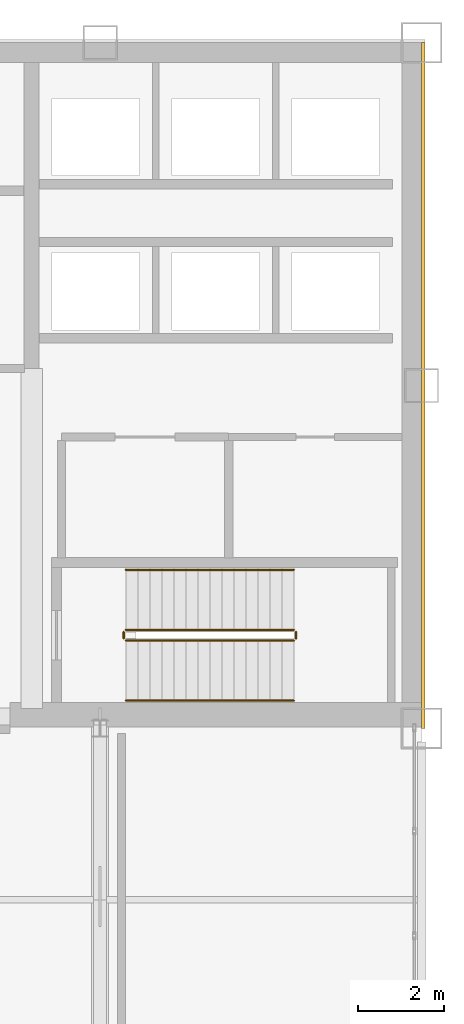
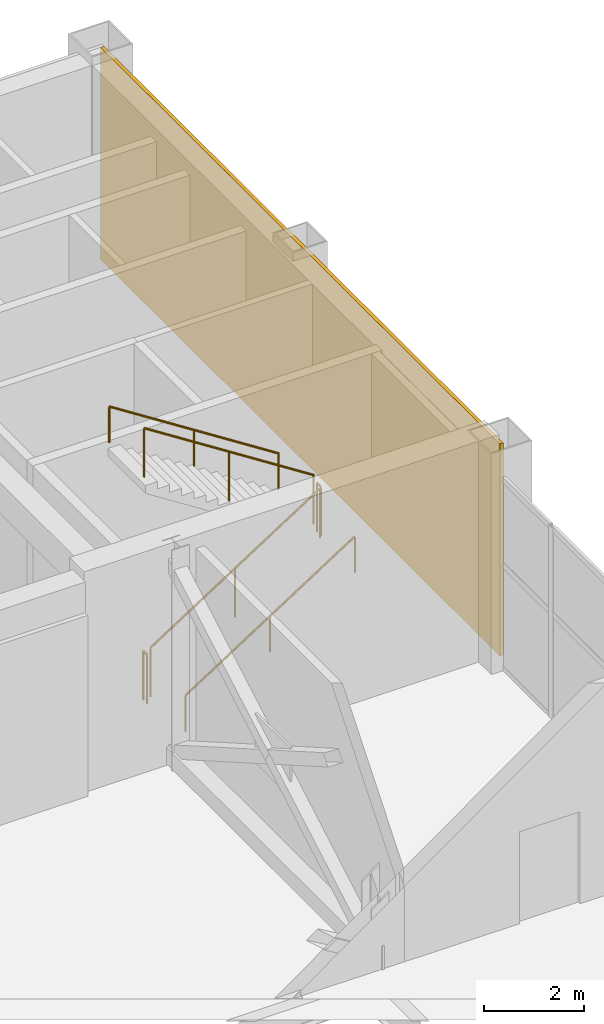
# One storey, part 21 of 23: 6 railings, 1 covering.
"""IFC4 building model written with IfcOpenShell, lengths in metres."""

import ifcopenshell
import ifcopenshell.guid

model = None  # the IFC model being written
_history = None  # IfcOwnerHistory: only IFC2X3 demands one
_inside = {}  # id of a spatial element -> (the spatial element, [elements in it])
_under = {}  # id of a project, library or spatial element -> (it, [spatial elements below it])
_declared = {}  # id of a project -> (the project, [libraries it declares])
_typed = {}  # id of a type object -> (the type object, [elements of that type])
_made_of = {}  # id of a material, layer set ... -> (it, [elements and type objects made of it])


def new_model(schema):
    """Start an empty IFC model of exactly this schema.

    Asked for "IFC4X3", IfcOpenShell would pick the latest addendum, in which some entities
    have other attributes; the version numbers below select the first issue.
    IFC2X3 requires an IfcOwnerHistory on every rooted entity: one is made here for all.
    """
    global model, _history
    if schema == "IFC4X3":
        model = ifcopenshell.file(schema_version=(4, 3, 0, 0))
    else:
        model = ifcopenshell.file(schema=schema)
    _inside.clear()
    _under.clear()
    _declared.clear()
    _typed.clear()
    _made_of.clear()
    _history = None
    if model.schema == "IFC2X3":
        org = make("IfcOrganization", Name="unknown")
        user = make(
            "IfcPersonAndOrganization",
            ThePerson=make("IfcPerson", FamilyName="unknown"),
            TheOrganization=org,
        )
        app = make(
            "IfcApplication",
            ApplicationDeveloper=org,
            Version="unknown",
            ApplicationFullName="unknown",
            ApplicationIdentifier="unknown",
        )
        _history = make(
            "IfcOwnerHistory",
            OwningUser=user,
            OwningApplication=app,
            ChangeAction="ADDED",
            CreationDate=0,
        )
    return model


def make(cls, **values):
    """One entity of the class cls with the attributes given. An attribute that is None is left unset."""
    return model.create_entity(
        cls, **{name: value for name, value in values.items() if value is not None}
    )


def rooted(cls, **values):
    """An entity with a GlobalId (a new one), such as an element, a storey or a relation."""
    return make(cls, GlobalId=ifcopenshell.guid.new(), OwnerHistory=_history, **values)


def si_unit(unit_type, name, prefix=None):
    """IfcSIUnit, for example si_unit("LENGTHUNIT", "METRE", prefix="MILLI")."""
    return make("IfcSIUnit", UnitType=unit_type, Prefix=prefix, Name=name)


def assignment(units):
    """IfcUnitAssignment: the units of a project."""
    return None if units is None else make("IfcUnitAssignment", Units=units)


def point(xyz):
    """IfcCartesianPoint."""
    return None if xyz is None else make("IfcCartesianPoint", Coordinates=xyz)


def direction(xyz):
    """IfcDirection."""
    return None if xyz is None else make("IfcDirection", DirectionRatios=xyz)


def frame(location, z_axis=None, x_axis=None):
    """IfcAxis2Placement3D, a coordinate frame: its origin and axes. An axis left out is left unset."""
    return make(
        "IfcAxis2Placement3D",
        Location=point(location),
        Axis=direction(z_axis),
        RefDirection=direction(x_axis),
    )


def frame_2d(location, x_axis=None):
    """IfcAxis2Placement2D, a coordinate frame in the plane: its origin and x axis."""
    return make(
        "IfcAxis2Placement2D", Location=point(location), RefDirection=direction(x_axis)
    )


def origin():
    """The frame at (0, 0, 0) with its axes left unset."""
    return frame((0.0, 0.0, 0.0))


def origin_2d():
    """The frame at (0, 0) in the plane with its x axis left unset."""
    return frame_2d((0.0, 0.0))


def place(relative_to, where):
    """IfcLocalPlacement: puts the frame where relative to a parent placement (None: the world)."""
    return make(
        "IfcLocalPlacement", PlacementRelTo=relative_to, RelativePlacement=where
    )


def context(
    kind, dimensions, precision=None, world=None, true_north=None, identifier=None
):
    """IfcGeometricRepresentationContext, for example the 3D "Model" context."""
    return make(
        "IfcGeometricRepresentationContext",
        ContextIdentifier=identifier,
        ContextType=kind,
        CoordinateSpaceDimension=dimensions,
        Precision=precision,
        WorldCoordinateSystem=world,
        TrueNorth=true_north,
    )


def subcontext(parent, identifier, kind, view, scale=None):
    """IfcGeometricRepresentationSubContext, for example "Body" below "Model"."""
    return make(
        "IfcGeometricRepresentationSubContext",
        ContextIdentifier=identifier,
        ContextType=kind,
        ParentContext=parent,
        TargetScale=scale,
        TargetView=view,
    )


def project(units=None, contexts=None):
    """IfcProject with its units and contexts."""
    return rooted(
        "IfcProject",
        Name="project",
        RepresentationContexts=contexts,
        UnitsInContext=assignment(units),
    )


def spatial(cls, under=None, at=None, **own):
    """A site, building, storey or space (cls), placed at a placement, below another one or the project."""
    s = rooted(cls, ObjectPlacement=at, **own)
    if under is not None:
        _under.setdefault(under.id(), (under, []))[1].append(s)
    return s


def profile(cls, at=None, kind="AREA", **sizes):
    """A parametric profile (cls). Its sizes go by their IFC names, for example OverallWidth=200.0."""
    return make(cls, ProfileType=kind, Position=at, **sizes)


def rectangle(**sizes):
    """IfcRectangleProfileDef."""
    return profile("IfcRectangleProfileDef", **sizes)


def circle(**sizes):
    """IfcCircleProfileDef."""
    return profile("IfcCircleProfileDef", **sizes)


def extrude(swept, where, along, depth):
    """IfcExtrudedAreaSolid: the profile swept, set in the frame where, extruded along a direction by depth."""
    return make(
        "IfcExtrudedAreaSolid",
        SweptArea=swept,
        Position=where,
        ExtrudedDirection=direction(along),
        Depth=depth,
    )


def shape(context_of_items, identifier, shape_type, items):
    """IfcShapeRepresentation: the items that make up one representation, for example the "Body"."""
    return make(
        "IfcShapeRepresentation",
        ContextOfItems=context_of_items,
        RepresentationIdentifier=identifier,
        RepresentationType=shape_type,
        Items=items,
    )


def material(Name=None, Category=None):
    """IfcMaterial."""
    return make("IfcMaterial", Name=Name, Category=Category)


def layer(
    of_material, thickness, ventilated=None, Name=None, Category=None, Priority=None
):
    """IfcMaterialLayer: one layer of a wall or slab, of a material (None: an air gap)."""
    return make(
        "IfcMaterialLayer",
        Material=of_material,
        LayerThickness=thickness,
        IsVentilated=ventilated,
        Name=Name,
        Category=Category,
        Priority=Priority,
    )


def layer_set(layers, Name=None):
    """IfcMaterialLayerSet."""
    return make("IfcMaterialLayerSet", MaterialLayers=layers, LayerSetName=Name)


def made_of(thing, what):
    """Note that an element or type object is made of a material, layer set ...; save() writes the relation."""
    if what is not None:
        _made_of.setdefault(what.id(), (what, []))[1].append(thing)
    return thing


def type_object(cls, material=None, **own):
    """A type object (cls), such as IfcWallType, which elements share."""
    return made_of(rooted(cls, **own), material)


def element(
    cls,
    number,
    at=None,
    inside=None,
    cuts=None,
    type_object=None,
    material=None,
    context=None,
    identifier="Body",
    shape_type=None,
    held_by="IfcProductDefinitionShape",
    body=None,
    shapes=None,
    **own,
):
    """One element of the class cls, such as IfcWall. Its Tag is "e" and its number.

    at: its placement. inside: the storey or other place that contains it. cuts: it is an
    opening in that element (IfcRelVoidsElement). A single representation is given by context,
    identifier, shape_type and body (its items); several are given by shapes. held_by: the class
    of the entity that holds the representations. save() writes the other relations.
    """
    e = rooted(cls, Tag="e%d" % number, ObjectPlacement=at, **own)
    if body is not None:
        shapes = [shape(context, identifier, shape_type, body)]
    if shapes is not None:
        e.Representation = make(held_by, Representations=shapes)
    if inside is not None:
        _inside.setdefault(inside.id(), (inside, []))[1].append(e)
    if cuts is not None:
        rooted(
            "IfcRelVoidsElement", RelatingBuildingElement=cuts, RelatedOpeningElement=e
        )
    if type_object is not None:
        _typed.setdefault(type_object.id(), (type_object, []))[1].append(e)
    return made_of(e, material)


def aggregate(whole, parts):
    """IfcRelAggregates: a whole, such as a stair, and the parts it consists of."""
    return rooted("IfcRelAggregates", RelatingObject=whole, RelatedObjects=parts)


def save(model, path):
    """Write the relations noted so far, then the file.

    IfcRelAggregates (storeys below a building ...), IfcRelContainedInSpatialStructure (elements
    in a storey), IfcRelDefinesByType, IfcRelAssociatesMaterial and IfcRelDeclares: one each for
    every whole, place, type object, material and project.
    """
    for whole, parts in _under.values():
        aggregate(whole, parts)
    for where, things in _inside.values():
        rooted(
            "IfcRelContainedInSpatialStructure",
            RelatedElements=things,
            RelatingStructure=where,
        )
    for kind, things in _typed.values():
        rooted("IfcRelDefinesByType", RelatedObjects=things, RelatingType=kind)
    for what, things in _made_of.values():
        rooted("IfcRelAssociatesMaterial", RelatedObjects=things, RelatingMaterial=what)
    for by, libraries in _declared.values():
        rooted("IfcRelDeclares", RelatingContext=by, RelatedDefinitions=libraries)
    model.write(path)


model = new_model("IFC4")

# Units and contexts
model_context = context("Model", 3, precision=1e-05, world=origin(), true_north=direction((0.0, 1.0)))
body_context = subcontext(model_context, "Body", "Model", "MODEL_VIEW")
ifc_project = project(units=[si_unit("LENGTHUNIT", "METRE"), si_unit("AREAUNIT", "SQUARE_METRE"), si_unit("VOLUMEUNIT", "CUBIC_METRE"), si_unit("PLANEANGLEUNIT", "RADIAN"), si_unit("MASSUNIT", "GRAM", prefix="KILO")], contexts=[model_context])

# Site, building, storey
site_placement = place(None, origin())
site = spatial("IfcSite", under=ifc_project, at=site_placement, CompositionType="ELEMENT")
building_placement = place(site_placement, origin())
building = spatial("IfcBuilding", under=site, at=building_placement, Name="Qianrong Seaharbour Tower", CompositionType="ELEMENT")
storey_placement = place(building_placement, frame((0.0, 0.0, 281.800048828125)))
storey = spatial("IfcBuildingStorey", under=building, at=storey_placement, Name="L68", CompositionType="ELEMENT", Elevation=281.800048828125)

# Covering
ifc_material_1 = material(Name="Unitised red brick cladding on Precast concrete C45/55", Category="masonry")
ifc_layer = layer(ifc_material_1, 0.080078125)
ifc_layer_set = layer_set([ifc_layer], Name="Unitised red brick cladding on Precast concrete C45/55")
covering_type = type_object("IfcCoveringType", Name="COV-CLAD-RED-BRICK-80", PredefinedType="CLADDING", material=ifc_layer_set)
covering_placement = place(storey_placement, frame((64.0400390625, 44.0, 0.0), z_axis=(0.0, 0.0, 1.0), x_axis=(1.0, 0.0, 0.0)))
element("IfcCovering", 1, at=covering_placement, inside=storey, type_object=covering_type, Name="L68 East Core Brick Veneer Cladding", PredefinedType="CLADDING", context=body_context, shape_type="SweptSolid", body=[
    extrude(rectangle(XDim=0.080078125, YDim=16.0, at=origin_2d()), origin(), (0.0, 0.0, 1.0), 5.18505859375),
])

# Railings
ifc_material_2 = material(Name="Galvanized painted steel SN400B stair guard", Category="steel")
railing_type_1 = type_object("IfcRailingType", Name="RAIL-STAIR-GUARD-1220", PredefinedType="GUARDRAIL", material=ifc_material_2)
railing_1_placement = place(storey_placement, frame((57.10009765625, 38.050048828125, 0.179931640625)))
element("IfcRailing", 2, at=railing_1_placement, inside=storey, type_object=railing_type_1, Name="L68 ST-2 stair guard 1", PredefinedType="GUARDRAIL", context=body_context, shape_type="SweptSolid", body=[
    extrude(circle(Radius=0.02392578125, at=origin_2d()), frame((0.0, 0.0, 1.19580078125), z_axis=(0.841171666519, 0.0, 0.540768182723), x_axis=(0.0, 1.0, 0.0)), (0.0, 0.0, 1.0), 4.66015625),
    extrude(circle(Radius=0.02099609375, at=origin_2d()), origin(), (0.0, 0.0, 1.0), 1.171875),
    extrude(circle(Radius=0.02099609375, at=origin_2d()), frame((1.9599609375, 0.0, 1.260009765625)), (0.0, 0.0, 1.0), 1.171875),
    extrude(circle(Radius=0.02099609375, at=origin_2d()), frame((3.919921875, 0.0, 2.52001953125)), (0.0, 0.0, 1.0), 1.171875),
])
railing_2_placement = place(storey_placement, frame((61.070068359375, 38.10009765625, 2.699951171875)))
element("IfcRailing", 3, at=railing_2_placement, inside=storey, type_object=railing_type_1, Name="L68 ST-2 stair guard 2", PredefinedType="GUARDRAIL", context=body_context, shape_type="SweptSolid", body=[
    extrude(circle(Radius=0.02392578125, at=origin_2d()), frame((0.0, 0.0, 1.19580078125), z_axis=(0.0, 1.0, 0.0), x_axis=(-1.0, 0.0, 0.0)), (0.0, 0.0, 1.0), 0.14990234375),
    extrude(circle(Radius=0.02099609375, at=origin_2d()), origin(), (0.0, 0.0, 1.0), 1.171875),
    extrude(circle(Radius=0.02099609375, at=origin_2d()), frame((0.0, 0.14990234375, 0.0)), (0.0, 0.0, 1.0), 1.171875),
])
railing_3_placement = place(storey_placement, frame((61.02001953125, 38.300048828125, 2.8798828125)))
element("IfcRailing", 4, at=railing_3_placement, inside=storey, type_object=railing_type_1, Name="L68 ST-2 stair guard 3", PredefinedType="GUARDRAIL", context=body_context, shape_type="SweptSolid", body=[
    extrude(circle(Radius=0.02392578125, at=origin_2d()), frame((0.0, 0.0, 1.19580078125), z_axis=(-0.841171666519, 0.0, 0.540768182723), x_axis=(0.0, -1.0, 0.0)), (0.0, 0.0, 1.0), 4.66015625),
    extrude(circle(Radius=0.02099609375, at=origin_2d()), origin(), (0.0, 0.0, 1.0), 1.171875),
    extrude(circle(Radius=0.02099609375, at=origin_2d()), frame((-1.9599609375, 0.0, 1.260009765625)), (0.0, 0.0, 1.0), 1.171875),
    extrude(circle(Radius=0.02099609375, at=origin_2d()), frame((-3.919921875, 0.0, 2.52001953125)), (0.0, 0.0, 1.0), 1.171875),
])
railing_4_placement = place(storey_placement, frame((57.050048828125, 38.10009765625, 0.0)))
element("IfcRailing", 5, at=railing_4_placement, inside=storey, type_object=railing_type_1, Name="L68 ST-2 stair guard 4", PredefinedType="GUARDRAIL", context=body_context, shape_type="SweptSolid", body=[
    extrude(circle(Radius=0.02392578125, at=origin_2d()), frame((0.0, 0.0, 1.19580078125), z_axis=(0.0, 1.0, 0.0), x_axis=(-1.0, 0.0, 0.0)), (0.0, 0.0, 1.0), 0.14990234375),
    extrude(circle(Radius=0.02099609375, at=origin_2d()), origin(), (0.0, 0.0, 1.0), 1.171875),
    extrude(circle(Radius=0.02099609375, at=origin_2d()), frame((0.0, 0.14990234375, 0.0)), (0.0, 0.0, 1.0), 1.171875),
])
ifc_material_3 = material(Name="Stainless steel SUS316L continuous handrail", Category="steel")
railing_type_2 = type_object("IfcRailingType", Name="RAIL-STAIR-HANDRAIL-900", PredefinedType="HANDRAIL", material=ifc_material_3)
railing_5_placement = place(storey_placement, frame((57.10009765625, 36.64990234375, 0.179931640625)))
element("IfcRailing", 6, at=railing_5_placement, inside=storey, type_object=railing_type_2, Name="L68 ST-2 stair handrail 1", PredefinedType="HANDRAIL", context=body_context, shape_type="SweptSolid", body=[
    extrude(circle(Radius=0.02392578125, at=origin_2d()), frame((0.0, 0.0, 0.8759765625), z_axis=(0.841171666519, 0.0, 0.540768182723), x_axis=(0.0, 1.0, 0.0)), (0.0, 0.0, 1.0), 4.66015625),
    extrude(circle(Radius=0.02099609375, at=origin_2d()), origin(), (0.0, 0.0, 1.0), 0.851806640625),
    extrude(circle(Radius=0.02099609375, at=origin_2d()), frame((1.9599609375, 0.0, 1.260009765625)), (0.0, 0.0, 1.0), 0.851806640625),
    extrude(circle(Radius=0.02099609375, at=origin_2d()), frame((3.919921875, 0.0, 2.52001953125)), (0.0, 0.0, 1.0), 0.851806640625),
])
railing_6_placement = place(storey_placement, frame((61.02001953125, 39.699951171875, 2.8798828125)))
element("IfcRailing", 7, at=railing_6_placement, inside=storey, type_object=railing_type_2, Name="L68 ST-2 stair handrail 2", PredefinedType="HANDRAIL", context=body_context, shape_type="SweptSolid", body=[
    extrude(circle(Radius=0.02392578125, at=origin_2d()), frame((0.0, 0.0, 0.8759765625), z_axis=(-0.841171666519, 0.0, 0.540768182723), x_axis=(0.0, -1.0, 0.0)), (0.0, 0.0, 1.0), 4.66015625),
    extrude(circle(Radius=0.02099609375, at=origin_2d()), origin(), (0.0, 0.0, 1.0), 0.851806640625),
    extrude(circle(Radius=0.02099609375, at=origin_2d()), frame((-1.9599609375, 0.0, 1.260009765625)), (0.0, 0.0, 1.0), 0.851806640625),
    extrude(circle(Radius=0.02099609375, at=origin_2d()), frame((-3.919921875, 0.0, 2.52001953125)), (0.0, 0.0, 1.0), 0.851806640625),
])

save(model, "model.ifc")
